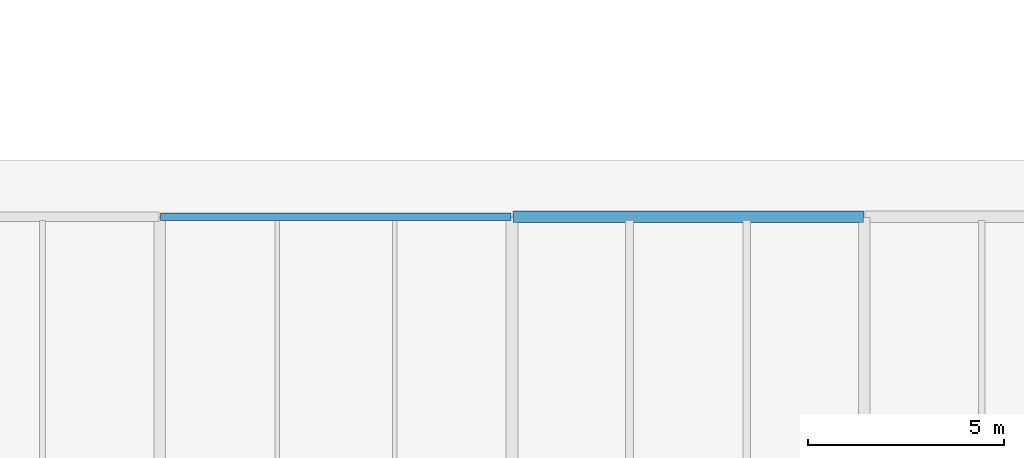
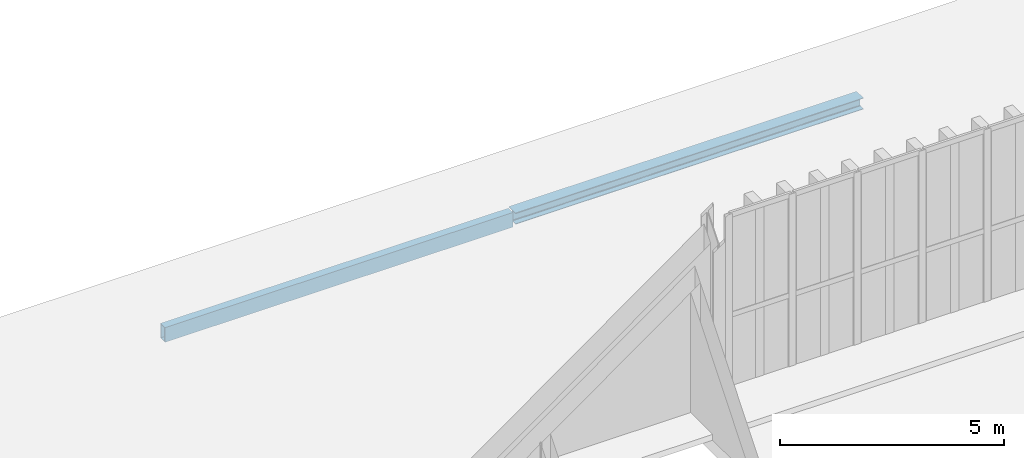
# One storey, part 155 of 237: 2 beams.
"""IFC4 building model written with IfcOpenShell, lengths in metres."""

from ifc_helpers import new_model, si_unit, direction, frame, origin, origin_2d, place, context, subcontext, project, spatial, hollow_rectangle, i_section, extrude, material, material_profile, profile_set, type_object, element, save


model = new_model("IFC4")

# Units and contexts
model_context = context("Model", 3, precision=1e-05, world=origin(), true_north=direction((0.0, 1.0)))
body_context = subcontext(model_context, "Body", "Model", "MODEL_VIEW")
ifc_project = project(units=[si_unit("LENGTHUNIT", "METRE"), si_unit("AREAUNIT", "SQUARE_METRE"), si_unit("VOLUMEUNIT", "CUBIC_METRE"), si_unit("PLANEANGLEUNIT", "RADIAN"), si_unit("MASSUNIT", "GRAM", prefix="KILO")], contexts=[model_context])

# Site, building, storey
site_placement = place(None, origin())
site = spatial("IfcSite", under=ifc_project, at=site_placement, CompositionType="ELEMENT")
building_placement = place(site_placement, origin())
building = spatial("IfcBuilding", under=site, at=building_placement, Name="Barlavento Convention Centre", CompositionType="ELEMENT")
storey_placement = place(building_placement, frame((0.0, 0.0, 12.0)))
storey = spatial("IfcBuildingStorey", under=building, at=storey_placement, Name="L02", CompositionType="ELEMENT", Elevation=12.0)

# Beams
ifc_material = material(Name="Steel S355", Category="steel")
ifc_material_profile_1 = material_profile(ifc_material, i_section(OverallWidth=0.300048828125, OverallDepth=0.31005859375, WebThickness=0.009033203125, FlangeThickness=0.015380859375, FilletRadius=0.027099609375, at=origin_2d()), Name="HEA 320")
ifc_profile_set_1 = profile_set([ifc_material_profile_1], Name="Steel S355")
beam_type_1 = type_object("IfcBeamType", Name="STR-BM-SPN-HEA320", PredefinedType="SPANDREL", material=ifc_profile_set_1)
beam_1_placement = place(storey_placement, frame((153.02001953125, 108.0, -0.52001953125), z_axis=(1.0, 0.0, 0.0), x_axis=(0.0, 1.0, 0.0)))
element("IfcBeam", 1, at=beam_1_placement, inside=storey, type_object=beam_type_1, Name="L02 primary girder SP01", PredefinedType="SPANDREL", context=body_context, shape_type="SweptSolid", body=[
    extrude(i_section(OverallWidth=0.300048828125, OverallDepth=0.31005859375, WebThickness=0.009033203125, FlangeThickness=0.015380859375, FilletRadius=0.027099609375, at=origin_2d()), origin(), (0.0, 0.0, 1.0), 8.9599609375),
])
ifc_material_profile_2 = material_profile(ifc_material, hollow_rectangle(XDim=0.199951171875, YDim=0.39990234375, WallThickness=0.01611328125, at=origin_2d()), Name="RHS 400x200x16.0")
ifc_profile_set_2 = profile_set([ifc_material_profile_2], Name="Steel S355")
beam_type_2 = type_object("IfcBeamType", Name="STR-BM-SPN-RHS400", PredefinedType="SPANDREL", material=ifc_profile_set_2)
beam_2_placement = place(storey_placement, frame((144.02001953125, 108.0, -0.56494140625), z_axis=(1.0, 0.0, 0.0), x_axis=(0.0, 1.0, 0.0)))
element("IfcBeam", 2, at=beam_2_placement, inside=storey, type_object=beam_type_2, Name="L02 primary girder SP06", PredefinedType="SPANDREL", context=body_context, shape_type="SweptSolid", body=[
    extrude(hollow_rectangle(XDim=0.199951171875, YDim=0.39990234375, WallThickness=0.01611328125, at=origin_2d()), origin(), (0.0, 0.0, 1.0), 8.9599609375),
])

save(model, "model.ifc")
